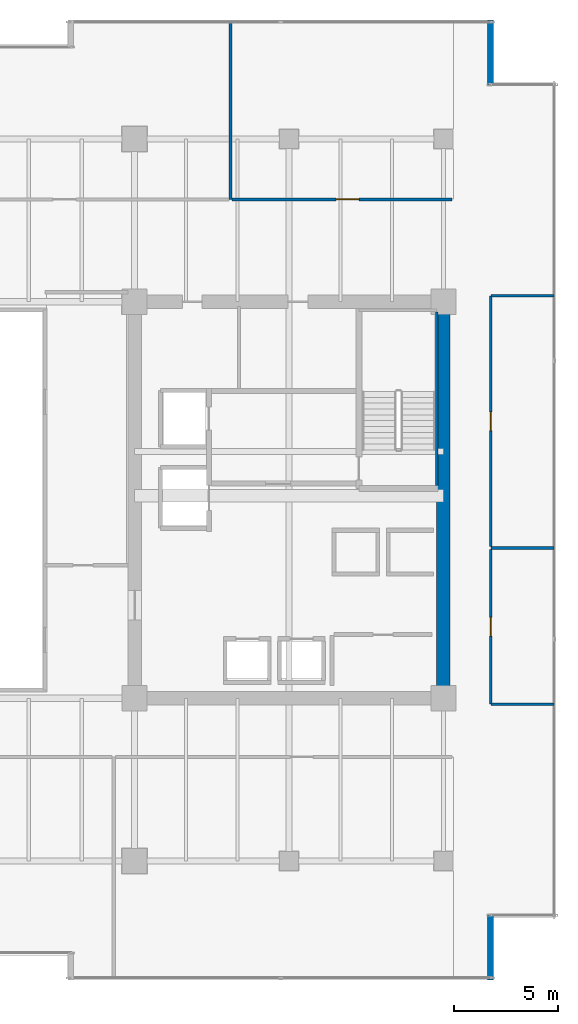
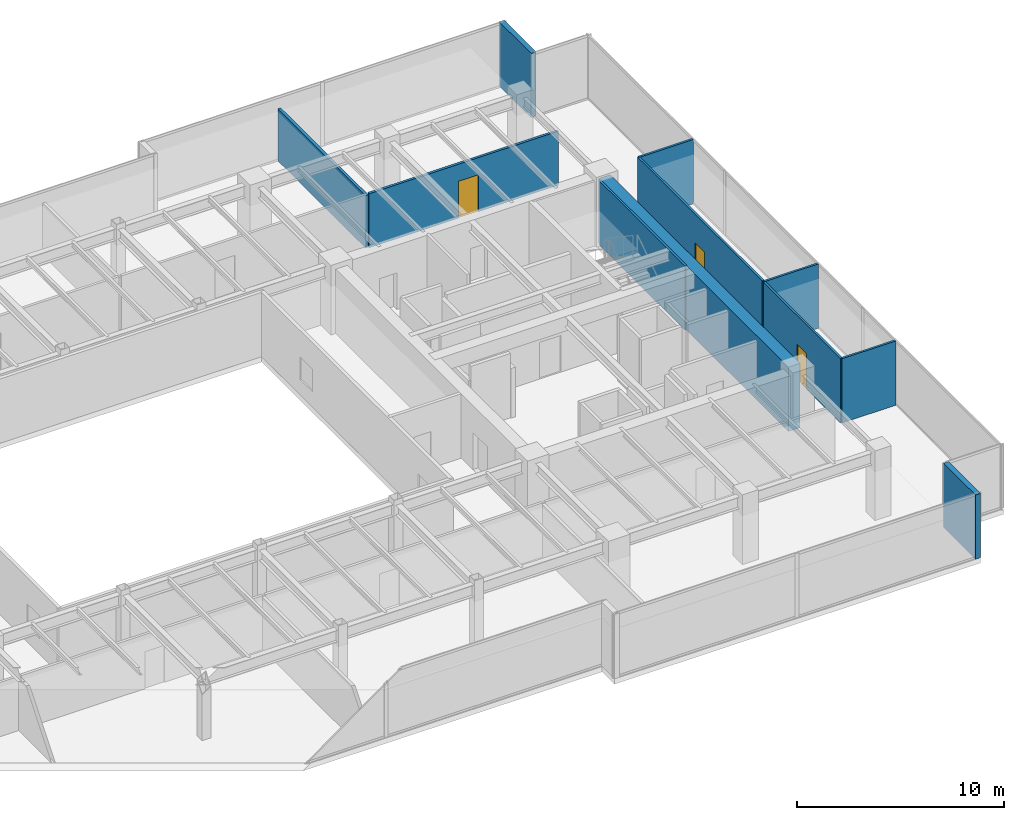
# One storey, part 28 of 34: 11 walls, 3 doors, 3 openings.
"""IFC4 building model written with IfcOpenShell, lengths in metres."""

from ifc_helpers import new_model, si_unit, direction, frame, frame_2d, origin, place, context, subcontext, project, spatial, rectangle, extrude, source, transform, mapped, material, layer, layer_set, type_object, type_shapes, element, fill, save


model = new_model("IFC4")

# Units and contexts
model_context = context("Model", 3, precision=1e-05, world=origin(), true_north=direction((0.0, 1.0)))
body_context = subcontext(model_context, "Body", "Model", "MODEL_VIEW")
ifc_project = project(units=[si_unit("LENGTHUNIT", "METRE"), si_unit("AREAUNIT", "SQUARE_METRE"), si_unit("VOLUMEUNIT", "CUBIC_METRE"), si_unit("PLANEANGLEUNIT", "RADIAN"), si_unit("MASSUNIT", "GRAM", prefix="KILO")], contexts=[model_context])

# Site, building, storey
site_placement = place(None, origin())
site = spatial("IfcSite", under=ifc_project, at=site_placement, CompositionType="ELEMENT")
building_placement = place(site_placement, origin())
building = spatial("IfcBuilding", under=site, at=building_placement, Name="Haelvirn Gate Laboratories", CompositionType="ELEMENT")
storey_placement = place(building_placement, frame((0.0, 0.0, 178.89990234375)))
storey = spatial("IfcBuildingStorey", under=building, at=storey_placement, Name="L43", CompositionType="ELEMENT", Elevation=178.89990234375)

# Walls
ifc_material_1 = material(Name="Thermally-broken bronze aluminium rainscreen & mineral wool", Category="aluminium")
ifc_layer_1 = layer(ifc_material_1, 0.280029296875, Name="EW-TERR-280")
ifc_layer_set_1 = layer_set([ifc_layer_1], Name="Thermally-broken bronze aluminium rainscreen & mineral wool")
wall_type_1 = type_object("IfcWallType", Name="EW-TERR-280", PredefinedType="STANDARD", material=ifc_layer_set_1)
wall_1_placement = place(storey_placement, frame((69.659912109375, 1.300048828125, 0.0), z_axis=(0.0, 0.0, 1.0), x_axis=(0.0, 1.0, 0.0)))
element("IfcWall", 1, at=wall_1_placement, inside=storey, type_object=wall_type_1, Name="L43 Atrium Recess Bronze Return Wall 05", PredefinedType="STANDARD", context=body_context, shape_type="SweptSolid", body=[
    extrude(rectangle(XDim=3.087890625, YDim=0.280029296875, at=frame_2d((1.5439453125, 0.0))), origin(), (0.0, 0.0, 1.0), 3.7900390625),
])
wall_2_placement = place(storey_placement, frame((69.659912109375, 44.2119140625, 0.0), z_axis=(0.0, 0.0, 1.0), x_axis=(0.0, 1.0, 0.0)))
element("IfcWall", 2, at=wall_2_placement, inside=storey, type_object=wall_type_1, Name="L43 Atrium Recess Bronze Return Wall 09", PredefinedType="STANDARD", context=body_context, shape_type="SweptSolid", body=[
    extrude(rectangle(XDim=3.088134765625, YDim=0.280029296875, at=frame_2d((1.5439453125, 0.0))), origin(), (0.0, 0.0, 1.0), 3.7900390625),
])
ifc_material_2 = material(Name="Double-layer acoustic gypsum laboratory partition", Category="gypsum")
ifc_layer_2 = layer(ifc_material_2, 0.159912109375, Name="IW-ACOUST-160")
ifc_layer_set_2 = layer_set([ifc_layer_2], Name="Double-layer acoustic gypsum laboratory partition")
wall_type_2 = type_object("IfcWallType", Name="IW-ACOUST-160", PredefinedType="PARTITIONING", material=ifc_layer_set_2)
wall_3_placement = place(storey_placement, frame((57.199951171875, 38.705078125, 0.0), z_axis=(0.0, 0.0, 1.0), x_axis=(0.0, 1.0, 0.0)))
element("IfcWall", 3, at=wall_3_placement, inside=storey, type_object=wall_type_2, Name="L43 Interior Wall IW-L43-NDIV-04", PredefinedType="PARTITIONING", context=body_context, shape_type="SweptSolid", body=[
    extrude(rectangle(XDim=8.48486328125, YDim=0.159912109375, at=frame_2d((4.242431640625, 0.0))), origin(), (0.0, 0.0, 1.0), 3.0751953125),
])
ifc_material_3 = material(Name="Lightweight acoustic gypsum board partition", Category="gypsum")
ifc_layer_3 = layer(ifc_material_3, 0.1201171875, Name="IW-PART-120")
ifc_layer_set_3 = layer_set([ifc_layer_3], Name="Lightweight acoustic gypsum board partition")
wall_type_3 = type_object("IfcWallType", Name="IW-PART-120", PredefinedType="PARTITIONING", material=ifc_layer_set_3)
for number, where, z_axis, x_axis, name in (
    (4, (69.669921875, 14.514892578125, 0.0), (0.0, 0.0, 1.0), (1.0, 0.0, 0.0), "L43 Interior Wall IW-L43-ECAP-S"),
    (5, (69.669921875, 34.0849609375, 0.0), (0.0, 0.0, 1.0), (1.0, 0.0, 0.0), "L43 Interior Wall IW-L43-ECAP-N"),
):
    element("IfcWall", number, at=place(storey_placement, frame(where, z_axis=z_axis, x_axis=x_axis)), inside=storey, type_object=wall_type_3, Name=name, PredefinedType="PARTITIONING", context=body_context, shape_type="SweptSolid", body=[
        extrude(rectangle(XDim=3.02001953125, YDim=0.1201171875, at=frame_2d((1.510009765625, 0.0))), origin(), (0.0, 0.0, 1.0), 3.7900390625),
    ])

# Wall, opening, door
wall_4_placement = place(storey_placement, frame((69.669921875, 14.514892578125, 0.0), z_axis=(0.0, 0.0, 1.0), x_axis=(0.0, 1.0, 0.0)))
wall_4 = element("IfcWall", 6, at=wall_4_placement, inside=storey, type_object=wall_type_3, Name="L43 Interior Wall IW-L43-EPASS-01", PredefinedType="PARTITIONING", context=body_context, shape_type="SweptSolid", body=[
    extrude(rectangle(XDim=7.425048828125, YDim=0.1201171875, at=frame_2d((3.71240234375, 0.0))), origin(), (0.0, 0.0, 1.0), 3.7900390625),
])
opening_1_placement = place(wall_4_placement, frame((3.262451171875, 0.0, 0.0)))
opening_1 = element("IfcOpeningElement", 7, at=opening_1_placement, cuts=wall_4, Name="Opening D4", PredefinedType="OPENING", context=body_context, shape_type="SweptSolid", body=[
    extrude(rectangle(XDim=0.89990234375, YDim=2.10009765625, at=frame_2d((0.449951171875, 1.050048828125))), frame((0.0, 0.070068359375, 0.0), z_axis=(0.0, -1.0, 0.0), x_axis=(1.0, 0.0, 0.0)), (0.0, 0.0, 1.0), 0.14013671875),
])
ifc_material_4 = material(Name="Glazed aluminium-framed write-up door", Category="aluminium")
door_type_1 = type_object("IfcDoorType", Name="DR-OFF-900", OperationType="NOTDEFINED", PredefinedType="DOOR", material=ifc_material_4)
shared_shape_1 = source(origin(), body_context, "Body", "SweptSolid", [
    extrude(rectangle(XDim=0.89990234375, YDim=2.10009765625, at=frame_2d((0.449951171875, 1.050048828125))), frame((0.0, 0.02490234375, 0.0), z_axis=(0.0, -1.0, 0.0), x_axis=(1.0, 0.0, 0.0)), (0.0, 0.0, 1.0), 0.050048828125),
])
type_shapes(door_type_1, [shared_shape_1])
door_1_placement = place(opening_1_placement, origin())
door_1 = element("IfcDoor", 8, at=door_1_placement, inside=storey, type_object=door_type_1, Name="L43 Genomics Assay Laboratory Door E1", OperationType="SINGLE_SWING_LEFT", OverallHeight=2.10009765625, OverallWidth=0.89990234375, PredefinedType="DOOR", context=body_context, shape_type="MappedRepresentation", body=[
    mapped(shared_shape_1, transform((0.0, 0.0, 0.0), scale=1.0)),
])
fill(opening_1, door_1)

# Wall
wall_5_placement = place(storey_placement, frame((69.669921875, 22.0, 0.0), z_axis=(0.0, 0.0, 1.0), x_axis=(1.0, 0.0, 0.0)))
element("IfcWall", 9, at=wall_5_placement, inside=storey, type_object=wall_type_3, Name="L43 Interior Wall IW-L43-EDIV-01", PredefinedType="PARTITIONING", context=body_context, shape_type="SweptSolid", body=[
    extrude(rectangle(XDim=3.02001953125, YDim=0.1201171875, at=frame_2d((1.510009765625, 0.0))), origin(), (0.0, 0.0, 1.0), 3.7900390625),
])

# Wall, opening, door
wall_6_placement = place(storey_placement, frame((69.669921875, 22.06005859375, 0.0), z_axis=(0.0, 0.0, 1.0), x_axis=(0.0, 1.0, 0.0)))
wall_6 = element("IfcWall", 10, at=wall_6_placement, inside=storey, type_object=wall_type_3, Name="L43 Interior Wall IW-L43-EPASS-02", PredefinedType="PARTITIONING", context=body_context, shape_type="SweptSolid", body=[
    extrude(rectangle(XDim=12.02490234375, YDim=0.1201171875, at=frame_2d((6.012451171875, 0.0))), origin(), (0.0, 0.0, 1.0), 3.7900390625),
])
opening_2_placement = place(wall_6_placement, frame((5.5625, 0.0, 0.0)))
opening_2 = element("IfcOpeningElement", 11, at=opening_2_placement, cuts=wall_6, Name="Opening D4", PredefinedType="OPENING", context=body_context, shape_type="SweptSolid", body=[
    extrude(rectangle(XDim=0.89990234375, YDim=2.10009765625, at=frame_2d((0.449951171875, 1.050048828125))), frame((0.0, 0.070068359375, 0.0), z_axis=(0.0, -1.0, 0.0), x_axis=(1.0, 0.0, 0.0)), (0.0, 0.0, 1.0), 0.14013671875),
])
door_2_placement = place(opening_2_placement, origin())
door_2 = element("IfcDoor", 12, at=door_2_placement, inside=storey, type_object=door_type_1, Name="L43 Proteomics Mass-Spec Laboratory Door E2", OperationType="SINGLE_SWING_RIGHT", OverallHeight=2.10009765625, OverallWidth=0.89990234375, PredefinedType="DOOR", context=body_context, shape_type="MappedRepresentation", body=[
    mapped(shared_shape_1, transform((0.0, 0.0, 0.0), scale=1.0)),
])
fill(opening_2, door_2)

ifc_material_5 = material(Name="Acoustic mineral-wool gypsum board partition", Category="gypsum")
ifc_layer_4 = layer(ifc_material_5, 0.139892578125, Name="IW-PART-140")
ifc_layer_set_4 = layer_set([ifc_layer_4], Name="Acoustic mineral-wool gypsum board partition")
wall_type_4 = type_object("IfcWallType", Name="IW-PART-140", PredefinedType="PARTITIONING", material=ifc_layer_set_4)
wall_7_placement = place(storey_placement, frame((57.280029296875, 38.705078125, 0.0), z_axis=(0.0, 0.0, 1.0), x_axis=(1.0, 0.0, 0.0)))
wall_7 = element("IfcWall", 13, at=wall_7_placement, inside=storey, type_object=wall_type_4, Name="L43 Interior Wall IW-L43-NCORR-05", PredefinedType="PARTITIONING", context=body_context, shape_type="SweptSolid", body=[
    extrude(rectangle(XDim=10.5400390625, YDim=0.139892578125, at=frame_2d((5.27001953125, 0.0))), origin(), (0.0, 0.0, 1.0), 3.18701171875),
])
opening_3_placement = place(wall_7_placement, frame((4.982177734375, 0.0, 0.0)))
opening_3 = element("IfcOpeningElement", 14, at=opening_3_placement, cuts=wall_7, Name="Opening D1", PredefinedType="OPENING", context=body_context, shape_type="SweptSolid", body=[
    extrude(rectangle(XDim=1.10009765625, YDim=2.179931640625, at=frame_2d((0.550048828125, 1.08984375))), frame((0.0, 0.080078125, 0.0), z_axis=(0.0, -1.0, 0.0), x_axis=(1.0, 0.0, 0.0)), (0.0, 0.0, 1.0), 0.159912109375),
])
ifc_material_6 = material(Name="Vision-panel acoustic solid-core timber lab door", Category="wood")
door_type_2 = type_object("IfcDoorType", Name="DR-LAB-1100", OperationType="NOTDEFINED", PredefinedType="DOOR", material=ifc_material_6)
shared_shape_2 = source(origin(), body_context, "Body", "SweptSolid", [
    extrude(rectangle(XDim=1.10009765625, YDim=2.179931640625, at=frame_2d((0.550048828125, 1.08984375))), frame((0.0, 0.02490234375, 0.0), z_axis=(0.0, -1.0, 0.0), x_axis=(1.0, 0.0, 0.0)), (0.0, 0.0, 1.0), 0.050048828125),
])
type_shapes(door_type_2, [shared_shape_2])
door_3_placement = place(opening_3_placement, origin())
door_3 = element("IfcDoor", 15, at=door_3_placement, inside=storey, type_object=door_type_2, Name="L43 Peer-Review Seminar Room Door N5", OperationType="SINGLE_SWING_LEFT", OverallHeight=2.179931640625, OverallWidth=1.10009765625, PredefinedType="DOOR", context=body_context, shape_type="MappedRepresentation", body=[
    mapped(shared_shape_2, transform((0.0, 0.0, 0.0), scale=1.0)),
])
fill(opening_3, door_3)

# Walls
ifc_material_7 = material(Name="Concrete C60/75", Category="concrete")
ifc_layer_5 = layer(ifc_material_7, 0.64990234375, Name="SW-CORE-650")
ifc_layer_set_5 = layer_set([ifc_layer_5], Name="Concrete C60/75")
wall_type_5 = type_object("IfcWallType", Name="SW-CORE-650", PredefinedType="SHEAR", material=ifc_layer_set_5)
wall_8_placement = place(storey_placement, frame((67.39990234375, 15.125, 0.0), z_axis=(0.0, 0.0, 1.0), x_axis=(0.0, 1.0, 0.0)))
element("IfcWall", 16, at=wall_8_placement, inside=storey, type_object=wall_type_5, Name="L43 E Core Shear Wall E", PredefinedType="SHEAR", context=body_context, shape_type="SweptSolid", body=[
    extrude(rectangle(XDim=18.35009765625, YDim=0.64990234375, at=frame_2d((9.175048828125, 0.0))), origin(), (0.0, 0.0, 1.0), 3.7900390625),
])
ifc_material_8 = material(Name="Concrete C50/60", Category="concrete")
ifc_layer_6 = layer(ifc_material_8, 0.1201171875, Name="SW-LINER-120")
ifc_layer_set_6 = layer_set([ifc_layer_6], Name="Concrete C50/60")
wall_type_6 = type_object("IfcWallType", Name="SW-LINER-120", PredefinedType="SOLIDWALL", material=ifc_layer_set_6)
wall_9_placement = place(storey_placement, frame((67.070068359375, 25.0, 0.0), z_axis=(0.0, 0.0, 1.0), x_axis=(0.0, 1.0, 0.0)))
element("IfcWall", 17, at=wall_9_placement, inside=storey, type_object=wall_type_6, Name="L43 E Core Stair Shaft Liner Wall OUT", PredefinedType="SOLIDWALL", context=body_context, shape_type="SweptSolid", body=[
    extrude(rectangle(XDim=8.320068359375, YDim=0.1201171875, at=frame_2d((4.16015625, 0.0))), origin(), (0.0, 0.0, 1.0), 3.7900390625),
])

save(model, "model.ifc")
